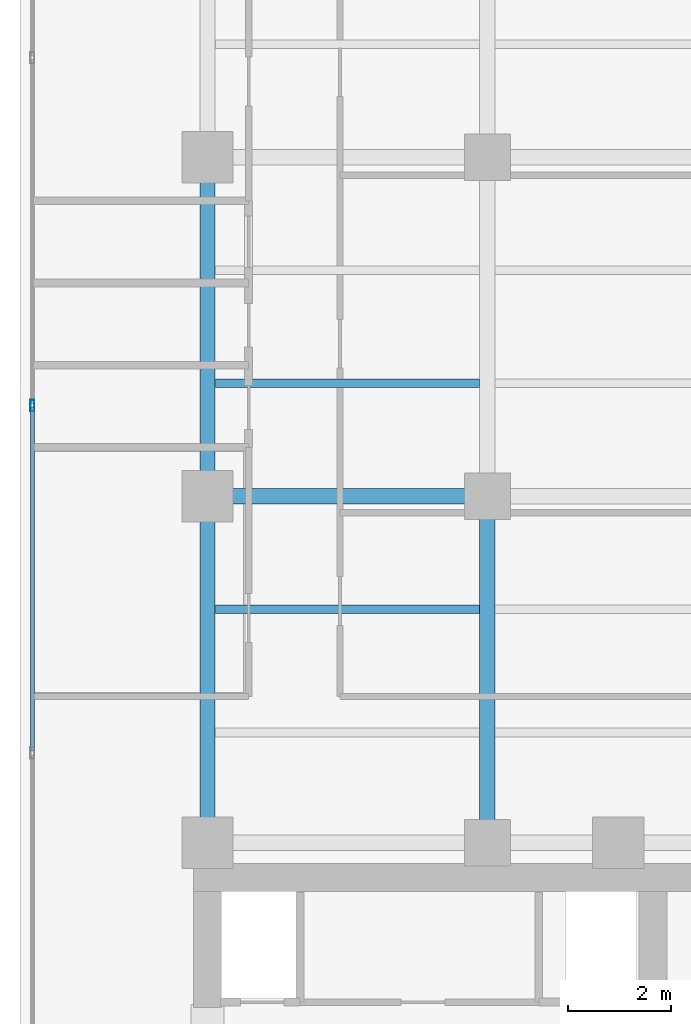
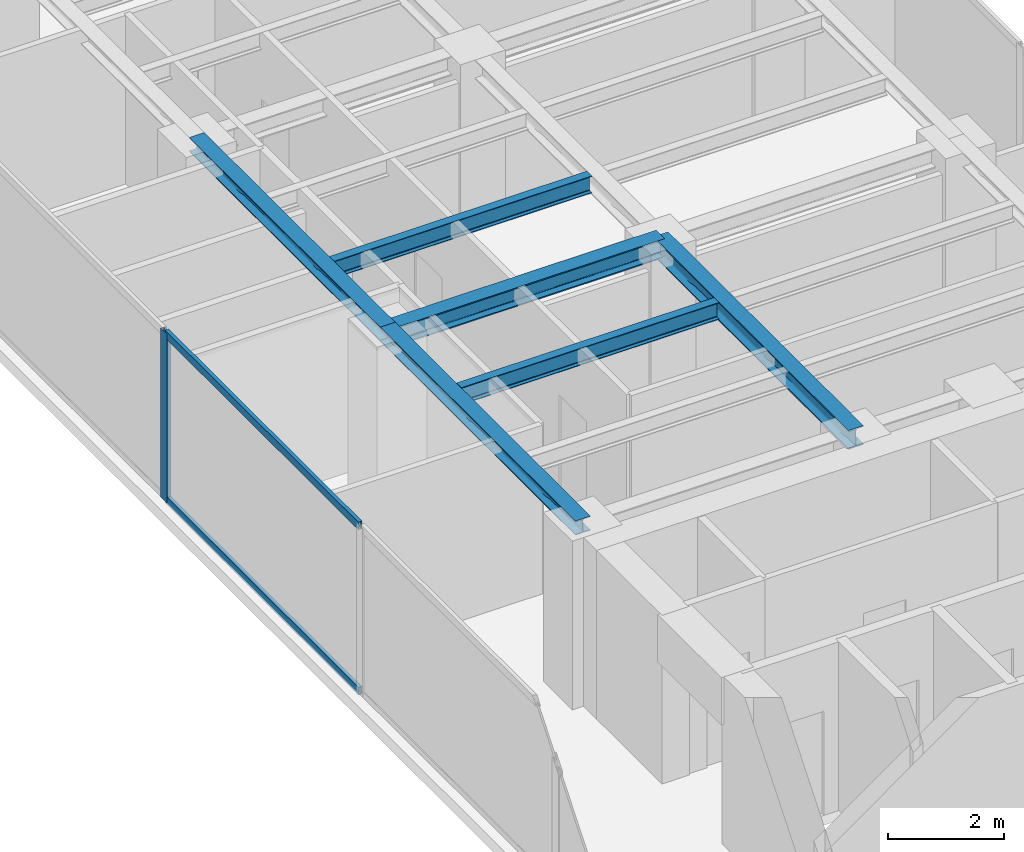
# One storey, part 8 of 23: 6 beams, 3 members, 1 element without a shape of its own.
"""IFC4 building model written with IfcOpenShell, lengths in metres."""

import ifcopenshell
import ifcopenshell.guid

model = None  # the IFC model being written
_history = None  # IfcOwnerHistory: only IFC2X3 demands one
_inside = {}  # id of a spatial element -> (the spatial element, [elements in it])
_under = {}  # id of a project, library or spatial element -> (it, [spatial elements below it])
_declared = {}  # id of a project -> (the project, [libraries it declares])
_typed = {}  # id of a type object -> (the type object, [elements of that type])
_made_of = {}  # id of a material, layer set ... -> (it, [elements and type objects made of it])


def new_model(schema):
    """Start an empty IFC model of exactly this schema.

    Asked for "IFC4X3", IfcOpenShell would pick the latest addendum, in which some entities
    have other attributes; the version numbers below select the first issue.
    IFC2X3 requires an IfcOwnerHistory on every rooted entity: one is made here for all.
    """
    global model, _history
    if schema == "IFC4X3":
        model = ifcopenshell.file(schema_version=(4, 3, 0, 0))
    else:
        model = ifcopenshell.file(schema=schema)
    _inside.clear()
    _under.clear()
    _declared.clear()
    _typed.clear()
    _made_of.clear()
    _history = None
    if model.schema == "IFC2X3":
        org = make("IfcOrganization", Name="unknown")
        user = make(
            "IfcPersonAndOrganization",
            ThePerson=make("IfcPerson", FamilyName="unknown"),
            TheOrganization=org,
        )
        app = make(
            "IfcApplication",
            ApplicationDeveloper=org,
            Version="unknown",
            ApplicationFullName="unknown",
            ApplicationIdentifier="unknown",
        )
        _history = make(
            "IfcOwnerHistory",
            OwningUser=user,
            OwningApplication=app,
            ChangeAction="ADDED",
            CreationDate=0,
        )
    return model


def make(cls, **values):
    """One entity of the class cls with the attributes given. An attribute that is None is left unset."""
    return model.create_entity(
        cls, **{name: value for name, value in values.items() if value is not None}
    )


def rooted(cls, **values):
    """An entity with a GlobalId (a new one), such as an element, a storey or a relation."""
    return make(cls, GlobalId=ifcopenshell.guid.new(), OwnerHistory=_history, **values)


def si_unit(unit_type, name, prefix=None):
    """IfcSIUnit, for example si_unit("LENGTHUNIT", "METRE", prefix="MILLI")."""
    return make("IfcSIUnit", UnitType=unit_type, Prefix=prefix, Name=name)


def assignment(units):
    """IfcUnitAssignment: the units of a project."""
    return None if units is None else make("IfcUnitAssignment", Units=units)


def point(xyz):
    """IfcCartesianPoint."""
    return None if xyz is None else make("IfcCartesianPoint", Coordinates=xyz)


def direction(xyz):
    """IfcDirection."""
    return None if xyz is None else make("IfcDirection", DirectionRatios=xyz)


def frame(location, z_axis=None, x_axis=None):
    """IfcAxis2Placement3D, a coordinate frame: its origin and axes. An axis left out is left unset."""
    return make(
        "IfcAxis2Placement3D",
        Location=point(location),
        Axis=direction(z_axis),
        RefDirection=direction(x_axis),
    )


def frame_2d(location, x_axis=None):
    """IfcAxis2Placement2D, a coordinate frame in the plane: its origin and x axis."""
    return make(
        "IfcAxis2Placement2D", Location=point(location), RefDirection=direction(x_axis)
    )


def origin():
    """The frame at (0, 0, 0) with its axes left unset."""
    return frame((0.0, 0.0, 0.0))


def origin_with_axes():
    """The frame at (0, 0, 0) with the z axis (0, 0, 1) and the x axis (1, 0, 0) written out."""
    return frame((0.0, 0.0, 0.0), z_axis=(0.0, 0.0, 1.0), x_axis=(1.0, 0.0, 0.0))


def origin_2d():
    """The frame at (0, 0) in the plane with its x axis left unset."""
    return frame_2d((0.0, 0.0))


def place(relative_to, where):
    """IfcLocalPlacement: puts the frame where relative to a parent placement (None: the world)."""
    return make(
        "IfcLocalPlacement", PlacementRelTo=relative_to, RelativePlacement=where
    )


def context(
    kind, dimensions, precision=None, world=None, true_north=None, identifier=None
):
    """IfcGeometricRepresentationContext, for example the 3D "Model" context."""
    return make(
        "IfcGeometricRepresentationContext",
        ContextIdentifier=identifier,
        ContextType=kind,
        CoordinateSpaceDimension=dimensions,
        Precision=precision,
        WorldCoordinateSystem=world,
        TrueNorth=true_north,
    )


def subcontext(parent, identifier, kind, view, scale=None):
    """IfcGeometricRepresentationSubContext, for example "Body" below "Model"."""
    return make(
        "IfcGeometricRepresentationSubContext",
        ContextIdentifier=identifier,
        ContextType=kind,
        ParentContext=parent,
        TargetScale=scale,
        TargetView=view,
    )


def project(units=None, contexts=None):
    """IfcProject with its units and contexts."""
    return rooted(
        "IfcProject",
        Name="project",
        RepresentationContexts=contexts,
        UnitsInContext=assignment(units),
    )


def spatial(cls, under=None, at=None, **own):
    """A site, building, storey or space (cls), placed at a placement, below another one or the project."""
    s = rooted(cls, ObjectPlacement=at, **own)
    if under is not None:
        _under.setdefault(under.id(), (under, []))[1].append(s)
    return s


def profile(cls, at=None, kind="AREA", **sizes):
    """A parametric profile (cls). Its sizes go by their IFC names, for example OverallWidth=200.0."""
    return make(cls, ProfileType=kind, Position=at, **sizes)


def hollow_rectangle(**sizes):
    """IfcRectangleHollowProfileDef."""
    return profile("IfcRectangleHollowProfileDef", **sizes)


def i_section(**sizes):
    """IfcIShapeProfileDef."""
    return profile("IfcIShapeProfileDef", **sizes)


def extrude(swept, where, along, depth):
    """IfcExtrudedAreaSolid: the profile swept, set in the frame where, extruded along a direction by depth."""
    return make(
        "IfcExtrudedAreaSolid",
        SweptArea=swept,
        Position=where,
        ExtrudedDirection=direction(along),
        Depth=depth,
    )


def shape(context_of_items, identifier, shape_type, items):
    """IfcShapeRepresentation: the items that make up one representation, for example the "Body"."""
    return make(
        "IfcShapeRepresentation",
        ContextOfItems=context_of_items,
        RepresentationIdentifier=identifier,
        RepresentationType=shape_type,
        Items=items,
    )


def source(mapping_origin, context_of_items, identifier, shape_type, items):
    """IfcRepresentationMap: a shape defined once, which mapped items show again and again."""
    return make(
        "IfcRepresentationMap",
        MappingOrigin=mapping_origin,
        MappedRepresentation=shape(context_of_items, identifier, shape_type, items),
    )


def transform(
    local_origin,
    x_axis=None,
    y_axis=None,
    z_axis=None,
    scale=None,
    scale2=None,
    scale3=None,
    uniform=True,
):
    """IfcCartesianTransformationOperator3D, or its non-uniform kind. x_axis, y_axis, z_axis: its Axis1, 2, 3."""
    if uniform:
        return make(
            "IfcCartesianTransformationOperator3D",
            Axis1=direction(x_axis),
            Axis2=direction(y_axis),
            LocalOrigin=point(local_origin),
            Scale=scale,
            Axis3=direction(z_axis),
        )
    return make(
        "IfcCartesianTransformationOperator3DnonUniform",
        Axis1=direction(x_axis),
        Axis2=direction(y_axis),
        LocalOrigin=point(local_origin),
        Scale=scale,
        Axis3=direction(z_axis),
        Scale2=scale2,
        Scale3=scale3,
    )


def mapped(mapping_source, mapping_target):
    """IfcMappedItem: shows the shape of a source again, moved by a transform."""
    return make(
        "IfcMappedItem", MappingSource=mapping_source, MappingTarget=mapping_target
    )


def material(Name=None, Category=None):
    """IfcMaterial."""
    return make("IfcMaterial", Name=Name, Category=Category)


def layer(
    of_material, thickness, ventilated=None, Name=None, Category=None, Priority=None
):
    """IfcMaterialLayer: one layer of a wall or slab, of a material (None: an air gap)."""
    return make(
        "IfcMaterialLayer",
        Material=of_material,
        LayerThickness=thickness,
        IsVentilated=ventilated,
        Name=Name,
        Category=Category,
        Priority=Priority,
    )


def layer_set(layers, Name=None):
    """IfcMaterialLayerSet."""
    return make("IfcMaterialLayerSet", MaterialLayers=layers, LayerSetName=Name)


def material_profile(
    of_material, cross_section, Name=None, Category=None, Priority=None
):
    """IfcMaterialProfile: a cross section and its material."""
    return make(
        "IfcMaterialProfile",
        Name=Name,
        Material=of_material,
        Profile=cross_section,
        Priority=Priority,
        Category=Category,
    )


def profile_set(profiles, Name=None, composite=None):
    """IfcMaterialProfileSet."""
    return make(
        "IfcMaterialProfileSet",
        Name=Name,
        MaterialProfiles=profiles,
        CompositeProfile=composite,
    )


def made_of(thing, what):
    """Note that an element or type object is made of a material, layer set ...; save() writes the relation."""
    if what is not None:
        _made_of.setdefault(what.id(), (what, []))[1].append(thing)
    return thing


def type_object(cls, material=None, **own):
    """A type object (cls), such as IfcWallType, which elements share."""
    return made_of(rooted(cls, **own), material)


def element(
    cls,
    number,
    at=None,
    inside=None,
    cuts=None,
    type_object=None,
    material=None,
    context=None,
    identifier="Body",
    shape_type=None,
    held_by="IfcProductDefinitionShape",
    body=None,
    shapes=None,
    **own,
):
    """One element of the class cls, such as IfcWall. Its Tag is "e" and its number.

    at: its placement. inside: the storey or other place that contains it. cuts: it is an
    opening in that element (IfcRelVoidsElement). A single representation is given by context,
    identifier, shape_type and body (its items); several are given by shapes. held_by: the class
    of the entity that holds the representations. save() writes the other relations.
    """
    e = rooted(cls, Tag="e%d" % number, ObjectPlacement=at, **own)
    if body is not None:
        shapes = [shape(context, identifier, shape_type, body)]
    if shapes is not None:
        e.Representation = make(held_by, Representations=shapes)
    if inside is not None:
        _inside.setdefault(inside.id(), (inside, []))[1].append(e)
    if cuts is not None:
        rooted(
            "IfcRelVoidsElement", RelatingBuildingElement=cuts, RelatedOpeningElement=e
        )
    if type_object is not None:
        _typed.setdefault(type_object.id(), (type_object, []))[1].append(e)
    return made_of(e, material)


def aggregate(whole, parts):
    """IfcRelAggregates: a whole, such as a stair, and the parts it consists of."""
    return rooted("IfcRelAggregates", RelatingObject=whole, RelatedObjects=parts)


def save(model, path):
    """Write the relations noted so far, then the file.

    IfcRelAggregates (storeys below a building ...), IfcRelContainedInSpatialStructure (elements
    in a storey), IfcRelDefinesByType, IfcRelAssociatesMaterial and IfcRelDeclares: one each for
    every whole, place, type object, material and project.
    """
    for whole, parts in _under.values():
        aggregate(whole, parts)
    for where, things in _inside.values():
        rooted(
            "IfcRelContainedInSpatialStructure",
            RelatedElements=things,
            RelatingStructure=where,
        )
    for kind, things in _typed.values():
        rooted("IfcRelDefinesByType", RelatedObjects=things, RelatingType=kind)
    for what, things in _made_of.values():
        rooted("IfcRelAssociatesMaterial", RelatedObjects=things, RelatingMaterial=what)
    for by, libraries in _declared.values():
        rooted("IfcRelDeclares", RelatingContext=by, RelatedDefinitions=libraries)
    model.write(path)


model = new_model("IFC4")

# Units and contexts
model_context = context("Model", 3, precision=1e-05, world=origin(), true_north=direction((0.0, 1.0)))
body_context = subcontext(model_context, "Body", "Model", "MODEL_VIEW")
ifc_project = project(units=[si_unit("LENGTHUNIT", "METRE"), si_unit("AREAUNIT", "SQUARE_METRE"), si_unit("VOLUMEUNIT", "CUBIC_METRE"), si_unit("PLANEANGLEUNIT", "RADIAN"), si_unit("MASSUNIT", "GRAM", prefix="KILO")], contexts=[model_context])

# Site, building, storey
site_placement = place(None, origin())
site = spatial("IfcSite", under=ifc_project, at=site_placement, CompositionType="ELEMENT")
building_placement = place(site_placement, origin())
building = spatial("IfcBuilding", under=site, at=building_placement, Name="Kolvaren Waterfront Exchange", CompositionType="ELEMENT")
storey_placement = place(building_placement, frame((0.0, 0.0, 234.89990234375)))
storey = spatial("IfcBuildingStorey", under=building, at=storey_placement, Name="L60", CompositionType="ELEMENT", Elevation=234.89990234375)

# Beams
ifc_material_1 = material(Name="Steel S355", Category="steel")
ifc_material_profile_1 = material_profile(ifc_material_1, i_section(OverallWidth=0.300048828125, OverallDepth=0.300048828125, WebThickness=0.010986328125, FlangeThickness=0.01904296875, FilletRadius=0.027099609375, at=origin_2d()), Name="HEB300")
ifc_profile_set_1 = profile_set([ifc_material_profile_1], Name="Steel S355")
beam_type_1 = type_object("IfcBeamType", Name="STR-BM-HEB300", PredefinedType="SPANDREL", material=ifc_profile_set_1)
beam_1_placement = place(storey_placement, frame((7.449951171875, 24.449951171875, 3.41015625), z_axis=(0.0, 1.0, 0.0), x_axis=(-1.0, 0.0, 0.0)))
element("IfcBeam", 1, at=beam_1_placement, inside=storey, type_object=beam_type_1, Name="L60 north-arm edge beam 1", PredefinedType="SPANDREL", context=body_context, shape_type="SweptSolid", body=[
    extrude(i_section(OverallWidth=0.300048828125, OverallDepth=0.300048828125, WebThickness=0.010986328125, FlangeThickness=0.01904296875, FilletRadius=0.027099609375, at=origin_2d()), origin(), (0.0, 0.0, 1.0), 6.75),
])
beam_2_placement = place(storey_placement, frame((7.449951171875, 31.199951171875, 3.41015625), z_axis=(0.0, 1.0, 0.0), x_axis=(-1.0, 0.0, 0.0)))
element("IfcBeam", 2, at=beam_2_placement, inside=storey, type_object=beam_type_1, Name="L60 north-arm edge beam 2", PredefinedType="SPANDREL", context=body_context, shape_type="SweptSolid", body=[
    extrude(i_section(OverallWidth=0.300048828125, OverallDepth=0.300048828125, WebThickness=0.010986328125, FlangeThickness=0.01904296875, FilletRadius=0.027099609375, at=origin_2d()), origin(), (0.0, 0.0, 1.0), 6.60009765625),
])
ifc_material_profile_2 = material_profile(ifc_material_1, i_section(OverallWidth=0.300048828125, OverallDepth=0.39990234375, WebThickness=0.013427734375, FlangeThickness=0.02392578125, FilletRadius=0.027099609375, at=origin_2d()), Name="HEB400")
ifc_profile_set_2 = profile_set([ifc_material_profile_2], Name="Steel S355")
beam_type_2 = type_object("IfcBeamType", Name="STR-BM-HEB400", PredefinedType="BEAM", material=ifc_profile_set_2)
beam_3_placement = place(storey_placement, frame((7.449951171875, 31.199951171875, 3.360107421875), z_axis=(1.0, 0.0, 0.0), x_axis=(0.0, 1.0, 0.0)))
element("IfcBeam", 3, at=beam_3_placement, inside=storey, type_object=beam_type_2, Name="L60 north-arm girder 2A", PredefinedType="BEAM", context=body_context, shape_type="SweptSolid", body=[
    extrude(i_section(OverallWidth=0.300048828125, OverallDepth=0.39990234375, WebThickness=0.013427734375, FlangeThickness=0.02392578125, FilletRadius=0.027099609375, at=origin_2d()), origin(), (0.0, 0.0, 1.0), 5.449951171875),
])
beam_4_placement = place(storey_placement, frame((12.89990234375, 24.449951171875, 3.360107421875), z_axis=(0.0, 1.0, 0.0), x_axis=(-1.0, 0.0, 0.0)))
element("IfcBeam", 4, at=beam_4_placement, inside=storey, type_object=beam_type_2, Name="L60 north-arm edge beam 1", PredefinedType="BEAM", context=body_context, shape_type="SweptSolid", body=[
    extrude(i_section(OverallWidth=0.300048828125, OverallDepth=0.39990234375, WebThickness=0.013427734375, FlangeThickness=0.02392578125, FilletRadius=0.027099609375, at=origin_2d()), origin(), (0.0, 0.0, 1.0), 6.75),
])
ifc_material_profile_3 = material_profile(ifc_material_1, i_section(OverallWidth=0.169921875, OverallDepth=0.360107421875, WebThickness=0.008056640625, FlangeThickness=0.0126953125, FilletRadius=0.01806640625, at=origin_2d()), Name="IPE360")
ifc_profile_set_3 = profile_set([ifc_material_profile_3], Name="Steel S355")
beam_type_3 = type_object("IfcBeamType", Name="STR-BM-IPE360", PredefinedType="JOIST", material=ifc_profile_set_3)
for number, where, z_axis, x_axis, name in (
    (5, (7.60205078125, 29.0, 3.380126953125), (1.0, 0.0, 0.0), (0.0, 1.0, 0.0), "L60 north-arm composite joist 2A"),
    (6, (7.60205078125, 33.39990234375, 3.380126953125), (1.0, 0.0, 0.0), (0.0, 1.0, 0.0), "L60 north-arm composite joist 3A"),
):
    element("IfcBeam", number, at=place(storey_placement, frame(where, z_axis=z_axis, x_axis=x_axis)), inside=storey, type_object=beam_type_3, Name=name, PredefinedType="JOIST", context=body_context, shape_type="SweptSolid", body=[
        extrude(i_section(OverallWidth=0.169921875, OverallDepth=0.360107421875, WebThickness=0.008056640625, FlangeThickness=0.0126953125, FilletRadius=0.01806640625, at=origin_2d()), origin(), (0.0, 0.0, 1.0), 5.14599609375),
    ])

# Curtain wall, members
ifc_material_2 = material(Name="Anodised aluminium 6063-T6", Category="aluminium")
ifc_layer = layer(ifc_material_2, 0.219970703125, Name="Anodised aluminium 6063-T6")
ifc_layer_set = layer_set([ifc_layer], Name="Anodised aluminium 6063-T6")
curtain_wall_type = type_object("IfcCurtainWallType", Name="ARC-CW-SYS2", PredefinedType="USERDEFINED", material=ifc_layer_set)
curtain_wall_placement = place(storey_placement, origin())
curtain_wall = element("IfcCurtainWall", 7, at=curtain_wall_placement, inside=storey, type_object=curtain_wall_type, Name="L60 stick curtain wall CW2 (CW-L60-W)", ObjectType="STICK CURTAIN WALL", PredefinedType="USERDEFINED")
ifc_material_profile_4 = material_profile(ifc_material_2, hollow_rectangle(XDim=0.080078125, YDim=0.219970703125, WallThickness=0.0048828125, at=origin_2d()), Name="ALU-MUL-220x80x5")
ifc_profile_set_4 = profile_set([ifc_material_profile_4], Name="Anodised aluminium 6063-T6")
member_type_1 = type_object("IfcMemberType", Name="ARC-CWM-220", PredefinedType="MULLION", material=ifc_profile_set_4)
shared_shape_1 = source(origin_with_axes(), body_context, "Body", "SweptSolid", [
    extrude(hollow_rectangle(XDim=0.080078125, YDim=0.219970703125, WallThickness=0.0048828125, at=origin_2d()), origin(), (0.0, 0.0, 1.0), 3.56005859375),
])
member_1_placement = place(storey_placement, frame((4.0400390625, 32.966552734375, 0.0), z_axis=(0.0, 0.0, 1.0), x_axis=(-1.0, 0.0, 0.0)))
member_1 = element("IfcMember", 8, at=member_1_placement, type_object=member_type_1, Name="CW2 mullion 5", PredefinedType="MULLION", context=body_context, shape_type="MappedRepresentation", body=[
    mapped(shared_shape_1, transform((0.0, 0.0, 0.0), x_axis=(1.0, 0.0, 0.0), y_axis=(0.0, 1.0, 0.0), z_axis=(0.0, 0.0, 1.0), scale=1.0)),
])
ifc_material_profile_5 = material_profile(ifc_material_2, hollow_rectangle(XDim=0.074951171875, YDim=0.159912109375, WallThickness=0.00439453125, at=origin_2d()), Name="ALU-TRN-160x75x4.5")
ifc_profile_set_5 = profile_set([ifc_material_profile_5], Name="Anodised aluminium 6063-T6")
member_type_2 = type_object("IfcMemberType", Name="ARC-CWT-160", PredefinedType="USERDEFINED", material=ifc_profile_set_5)
shared_shape_2 = source(origin_with_axes(), body_context, "Body", "SweptSolid", [
    extrude(hollow_rectangle(XDim=0.074951171875, YDim=0.159912109375, WallThickness=0.00439453125, at=origin_2d()), origin(), (0.0, 0.0, 1.0), 6.686767578125),
])
member_2_placement = place(storey_placement, frame((4.0400390625, 26.239990234375, 0.03759765625), z_axis=(0.0, 1.0, 0.0), x_axis=(-1.0, 0.0, 0.0)))
member_2 = element("IfcMember", 9, at=member_2_placement, type_object=member_type_2, Name="CW2 transom 4.1", ObjectType="TRANSOM", PredefinedType="USERDEFINED", context=body_context, shape_type="MappedRepresentation", body=[
    mapped(shared_shape_2, transform((0.0, 0.0, 0.0), x_axis=(1.0, 0.0, 0.0), y_axis=(0.0, 1.0, 0.0), z_axis=(0.0, 0.0, 1.0), scale=1.0)),
])
member_3_placement = place(storey_placement, frame((4.0400390625, 26.239990234375, 3.522705078125), z_axis=(0.0, 1.0, 0.0), x_axis=(-1.0, 0.0, 0.0)))
member_3 = element("IfcMember", 10, at=member_3_placement, type_object=member_type_2, Name="CW2 transom 4.2", ObjectType="TRANSOM", PredefinedType="USERDEFINED", context=body_context, shape_type="MappedRepresentation", body=[
    mapped(shared_shape_2, transform((0.0, 0.0, 0.0), x_axis=(1.0, 0.0, 0.0), y_axis=(0.0, 1.0, 0.0), z_axis=(0.0, 0.0, 1.0), scale=1.0)),
])
aggregate(curtain_wall, [member_1, member_2, member_3])

save(model, "model.ifc")
